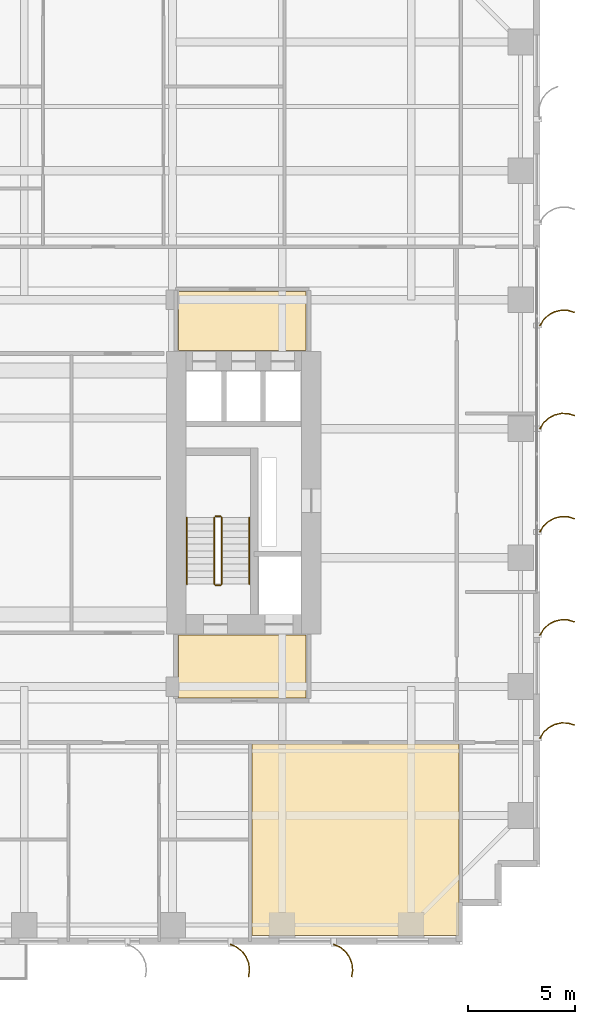
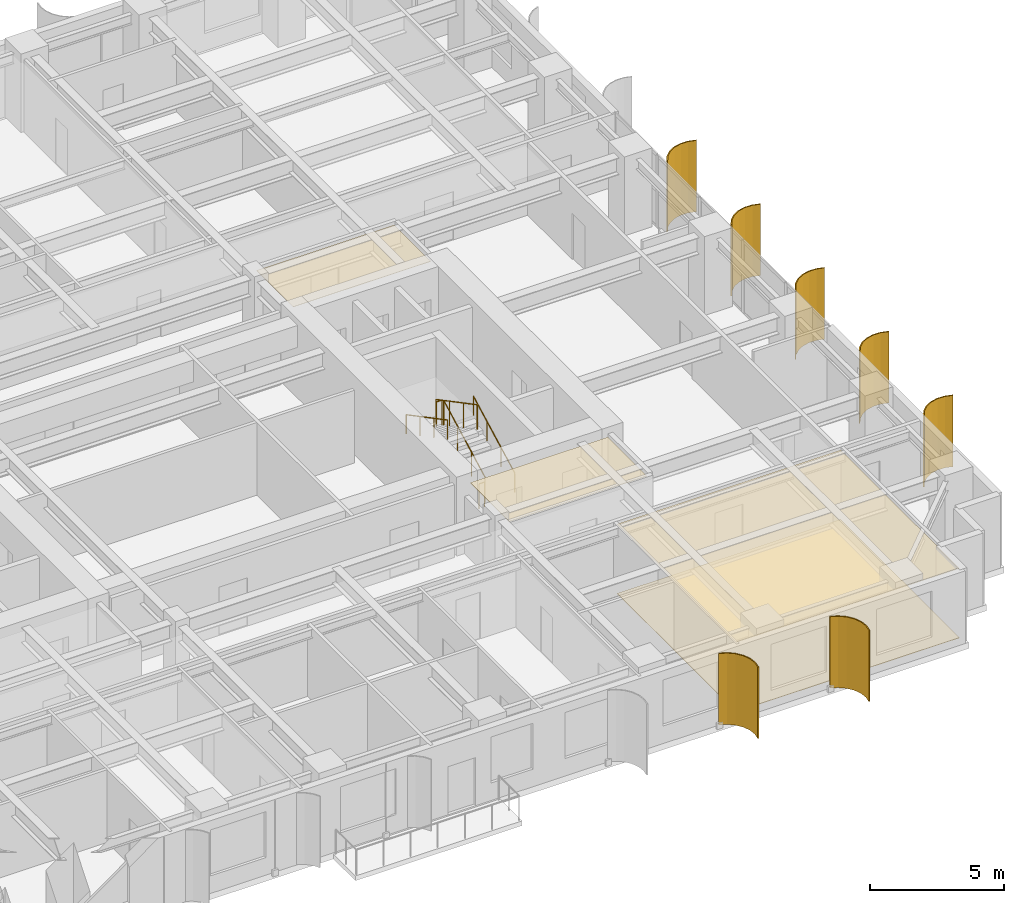
# One storey, part 17 of 18: 7 shading devices, 6 railings, 4 coverings.
"""IFC4 building model written with IfcOpenShell, lengths in metres."""

from ifc_helpers import new_model, si_unit, direction, frame, origin, origin_2d, place, context, subcontext, project, spatial, polyline, circle, outline, extrude, source, transform, mapped, material, layer, layer_set, type_object, element, save


model = new_model("IFC4")

# Units and contexts
model_context = context("Model", 3, precision=1e-05, world=origin(), true_north=direction((0.0, 1.0)))
body_context = subcontext(model_context, "Body", "Model", "MODEL_VIEW")
ifc_project = project(units=[si_unit("LENGTHUNIT", "METRE"), si_unit("AREAUNIT", "SQUARE_METRE"), si_unit("VOLUMEUNIT", "CUBIC_METRE"), si_unit("PLANEANGLEUNIT", "RADIAN"), si_unit("MASSUNIT", "GRAM", prefix="KILO")], contexts=[model_context])

# Site, building, storey
site_placement = place(None, origin())
site = spatial("IfcSite", under=ifc_project, at=site_placement, CompositionType="ELEMENT")
building_placement = place(site_placement, origin())
building = spatial("IfcBuilding", under=site, at=building_placement, Name="Khoralis Quay Care Tower", CompositionType="ELEMENT")
storey_placement = place(building_placement, frame((0.0, 0.0, 47.699951171875)))
storey = spatial("IfcBuildingStorey", under=building, at=storey_placement, Name="L12", CompositionType="ELEMENT", Elevation=47.699951171875)

# Coverings
ifc_material_1 = material(Name="Mineral-fibre acoustic ceiling tile")
ifc_layer_1 = layer(ifc_material_1, 0.01806640625)
ifc_layer_set_1 = layer_set([ifc_layer_1], Name="Mineral-fibre acoustic ceiling tile")
covering_type_1 = type_object("IfcCoveringType", Name="COV-CEIL-AC18", PredefinedType="CEILING", material=ifc_layer_set_1)
covering_1_placement = place(storey_placement, frame((0.0, 0.0, 3.172119140625)))
element("IfcCovering", 1, at=covering_1_placement, inside=storey, type_object=covering_type_1, Name="Suspended Acoustic Ceiling SP-L12-FFLOB-E", PredefinedType="CEILING", context=body_context, shape_type="SweptSolid", body=[
    extrude(outline(polyline([(31.179931640625, 11.47998046875), (37.1201171875, 11.47998046875), (37.1201171875, 14.39990234375), (31.179931640625, 14.39990234375), (31.179931640625, 11.47998046875)])), origin(), (0.0, 0.0, 1.0), 0.017822265625),
])
covering_2_placement = place(storey_placement, frame((0.0, 0.0, 3.172119140625)))
element("IfcCovering", 2, at=covering_2_placement, inside=storey, type_object=covering_type_1, Name="Suspended Acoustic Ceiling SP-L12-LLOB-E", PredefinedType="CEILING", context=body_context, shape_type="SweptSolid", body=[
    extrude(outline(polyline([(31.179931640625, 27.64990234375), (37.1201171875, 27.64990234375), (37.1201171875, 30.389892578125), (31.179931640625, 30.389892578125), (31.179931640625, 27.64990234375)])), origin(), (0.0, 0.0, 1.0), 0.017822265625),
])
covering_3_placement = place(storey_placement, frame((0.0, 0.0, 3.172119140625)))
element("IfcCovering", 3, at=covering_3_placement, inside=storey, type_object=covering_type_1, Name="Suspended Acoustic Ceiling SP-L12-SB-COM2", PredefinedType="CEILING", context=body_context, shape_type="SweptSolid", body=[
    extrude(outline(polyline([(34.590087890625, 0.419921875), (44.239990234375, 0.419921875), (44.239990234375, 9.320068359375), (34.590087890625, 9.320068359375), (34.590087890625, 0.419921875)])), origin(), (0.0, 0.0, 1.0), 0.017822265625),
])
ifc_material_2 = material(Name="Porcelain and non-slip vinyl flooring")
ifc_layer_2 = layer(ifc_material_2, 0.02001953125)
ifc_layer_set_2 = layer_set([ifc_layer_2], Name="Porcelain and non-slip vinyl flooring")
covering_type_2 = type_object("IfcCoveringType", Name="COV-FLOOR-20", PredefinedType="FLOORING", material=ifc_layer_set_2)
covering_4_placement = place(storey_placement, origin())
element("IfcCovering", 4, at=covering_4_placement, inside=storey, type_object=covering_type_2, Name="Resilient Healthcare Flooring SP-L12-SB-COM2", PredefinedType="FLOORING", context=body_context, shape_type="SweptSolid", body=[
    extrude(outline(polyline([(34.590087890625, 0.419921875), (44.239990234375, 0.419921875), (44.239990234375, 9.320068359375), (34.590087890625, 9.320068359375), (34.590087890625, 0.419921875)])), origin(), (0.0, 0.0, 1.0), 0.02001953125),
])

# Railings
ifc_material_3 = material(Name="Brushed stainless steel", Category="steel")
railing_type_1 = type_object("IfcRailingType", Name="RL-GUARD-1150", PredefinedType="GUARDRAIL", material=ifc_material_3)
railing_1_placement = place(storey_placement, frame((33.18994140625, 16.77001953125, 0.16357421875)))
element("IfcRailing", 5, at=railing_1_placement, inside=storey, type_object=railing_type_1, Name="L12 ST-T2 stair guard 1", PredefinedType="GUARDRAIL", context=body_context, shape_type="SweptSolid", body=[
    extrude(circle(Radius=0.02392578125, at=origin_2d()), frame((0.0, 0.0, 1.1259765625), z_axis=(0.0, 0.884348015382, 0.466828220752), x_axis=(-1.0, 0.0, 0.0)), (0.0, 0.0, 1.0), 3.505615234375),
    extrude(circle(Radius=0.02099609375, at=origin_2d()), origin(), (0.0, 0.0, 1.0), 1.101806640625),
    extrude(circle(Radius=0.02099609375, at=origin_2d()), frame((0.0, 1.033447265625, 0.54541015625)), (0.0, 0.0, 1.0), 1.101806640625),
    extrude(circle(Radius=0.02099609375, at=origin_2d()), frame((0.0, 2.066650390625, 1.091064453125)), (0.0, 0.0, 1.0), 1.101806640625),
    extrude(circle(Radius=0.02099609375, at=origin_2d()), frame((0.0, 3.10009765625, 1.636474609375)), (0.0, 0.0, 1.0), 1.101806640625),
])
railing_2_placement = place(storey_placement, frame((33.139892578125, 19.919921875, 1.800048828125)))
element("IfcRailing", 6, at=railing_2_placement, inside=storey, type_object=railing_type_1, Name="L12 ST-T2 stair guard 2", PredefinedType="GUARDRAIL", context=body_context, shape_type="SweptSolid", body=[
    extrude(circle(Radius=0.02392578125, at=origin_2d()), frame((0.0, 0.0, 1.1259765625), z_axis=(-1.0, 0.0, 0.0), x_axis=(0.0, -1.0, 0.0)), (0.0, 0.0, 1.0), 0.239990234375),
    extrude(circle(Radius=0.02099609375, at=origin_2d()), origin(), (0.0, 0.0, 1.0), 1.101806640625),
    extrude(circle(Radius=0.02099609375, at=origin_2d()), frame((-0.239990234375, 0.0, 0.0)), (0.0, 0.0, 1.0), 1.101806640625),
])
railing_3_placement = place(storey_placement, frame((32.85009765625, 19.8701171875, 1.963623046875)))
element("IfcRailing", 7, at=railing_3_placement, inside=storey, type_object=railing_type_1, Name="L12 ST-T2 stair guard 3", PredefinedType="GUARDRAIL", context=body_context, shape_type="SweptSolid", body=[
    extrude(circle(Radius=0.02392578125, at=origin_2d()), frame((0.0, 0.0, 1.1259765625), z_axis=(0.0, -0.884348015382, 0.466828220752), x_axis=(1.0, 0.0, 0.0)), (0.0, 0.0, 1.0), 3.505615234375),
    extrude(circle(Radius=0.02099609375, at=origin_2d()), origin(), (0.0, 0.0, 1.0), 1.101806640625),
    extrude(circle(Radius=0.02099609375, at=origin_2d()), frame((0.0, -1.033447265625, 0.54541015625)), (0.0, 0.0, 1.0), 1.101806640625),
    extrude(circle(Radius=0.02099609375, at=origin_2d()), frame((0.0, -2.066650390625, 1.091064453125)), (0.0, 0.0, 1.0), 1.101806640625),
    extrude(circle(Radius=0.02099609375, at=origin_2d()), frame((0.0, -3.10009765625, 1.636474609375)), (0.0, 0.0, 1.0), 1.101806640625),
])
railing_4_placement = place(storey_placement, frame((33.139892578125, 16.719970703125, 0.0)))
element("IfcRailing", 8, at=railing_4_placement, inside=storey, type_object=railing_type_1, Name="L12 ST-T2 stair guard 4", PredefinedType="GUARDRAIL", context=body_context, shape_type="SweptSolid", body=[
    extrude(circle(Radius=0.02392578125, at=origin_2d()), frame((0.0, 0.0, 1.1259765625), z_axis=(-1.0, 0.0, 0.0), x_axis=(0.0, -1.0, 0.0)), (0.0, 0.0, 1.0), 0.239990234375),
    extrude(circle(Radius=0.02099609375, at=origin_2d()), origin(), (0.0, 0.0, 1.0), 1.101806640625),
    extrude(circle(Radius=0.02099609375, at=origin_2d()), frame((-0.239990234375, 0.0, 0.0)), (0.0, 0.0, 1.0), 1.101806640625),
])
railing_type_2 = type_object("IfcRailingType", Name="RL-HAND-900", PredefinedType="HANDRAIL", material=ifc_material_3)
railing_5_placement = place(storey_placement, frame((34.469970703125, 16.77001953125, 0.16357421875)))
element("IfcRailing", 9, at=railing_5_placement, inside=storey, type_object=railing_type_2, Name="L12 ST-T2 stair handrail 1", PredefinedType="HANDRAIL", context=body_context, shape_type="SweptSolid", body=[
    extrude(circle(Radius=0.02392578125, at=origin_2d()), frame((0.0, 0.0, 0.8759765625), z_axis=(0.0, 0.884348015382, 0.466828220752), x_axis=(-1.0, 0.0, 0.0)), (0.0, 0.0, 1.0), 3.505615234375),
    extrude(circle(Radius=0.02099609375, at=origin_2d()), origin(), (0.0, 0.0, 1.0), 0.851806640625),
    extrude(circle(Radius=0.02099609375, at=origin_2d()), frame((0.0, 1.033447265625, 0.54541015625)), (0.0, 0.0, 1.0), 0.851806640625),
    extrude(circle(Radius=0.02099609375, at=origin_2d()), frame((0.0, 2.066650390625, 1.091064453125)), (0.0, 0.0, 1.0), 0.851806640625),
    extrude(circle(Radius=0.02099609375, at=origin_2d()), frame((0.0, 3.10009765625, 1.636474609375)), (0.0, 0.0, 1.0), 0.851806640625),
])
railing_6_placement = place(storey_placement, frame((31.570068359375, 19.8701171875, 1.963623046875)))
element("IfcRailing", 10, at=railing_6_placement, inside=storey, type_object=railing_type_2, Name="L12 ST-T2 stair handrail 2", PredefinedType="HANDRAIL", context=body_context, shape_type="SweptSolid", body=[
    extrude(circle(Radius=0.02392578125, at=origin_2d()), frame((0.0, 0.0, 0.8759765625), z_axis=(0.0, -0.884348015382, 0.466828220752), x_axis=(1.0, 0.0, 0.0)), (0.0, 0.0, 1.0), 3.505615234375),
    extrude(circle(Radius=0.02099609375, at=origin_2d()), origin(), (0.0, 0.0, 1.0), 0.851806640625),
    extrude(circle(Radius=0.02099609375, at=origin_2d()), frame((0.0, -1.033447265625, 0.54541015625)), (0.0, 0.0, 1.0), 0.851806640625),
    extrude(circle(Radius=0.02099609375, at=origin_2d()), frame((0.0, -2.066650390625, 1.091064453125)), (0.0, 0.0, 1.0), 0.851806640625),
    extrude(circle(Radius=0.02099609375, at=origin_2d()), frame((0.0, -3.10009765625, 1.636474609375)), (0.0, 0.0, 1.0), 0.851806640625),
])

# Shading devices
ifc_material_4 = material(Name="Brushed pale anodised aluminium", Category="aluminium")
ifc_layer_3 = layer(ifc_material_4, 0.044921875)
ifc_layer_set_3 = layer_set([ifc_layer_3], Name="Brushed pale anodised aluminium")
shading_device_type = type_object("IfcShadingDeviceType", Name="SHD-FIN-1250", PredefinedType="USERDEFINED", material=ifc_layer_set_3)
shared_shape_1 = source(origin(), body_context, "Body", "SweptSolid", [
    extrude(outline(polyline([(0.0, 0.0), (0.130126953125, 0.29931640625), (0.333251953125, 0.5546875), (0.595458984375, 0.748779296875), (0.899169921875, 0.868408203125), (1.223388671875, 0.9052734375), (1.546142578125, 0.85693359375), (1.53369140625, 0.813720703125), (1.22265625, 0.8603515625), (0.91015625, 0.82470703125), (0.617431640625, 0.70947265625), (0.364501953125, 0.522216796875), (0.168701171875, 0.276123046875), (0.043212890625, -0.012451171875), (0.0, 0.0)])), origin(), (0.0, 0.0, 1.0), 3.260009765625),
])
for number, where, z_axis, x_axis, name in (
    (11, (33.60009765625, 0.030029296875, 0.02001953125), (0.0, 0.0, 1.0), (0.0, -1.0, 0.0), "L12 Curved Solar Fin P1E0-06"),
    (12, (38.39990234375, 0.030029296875, 0.02001953125), (0.0, 0.0, 1.0), (0.0, -1.0, 0.0), "L12 Curved Solar Fin P1E0-07"),
):
    element("IfcShadingDevice", number, at=place(storey_placement, frame(where, z_axis=z_axis, x_axis=x_axis)), inside=storey, type_object=shading_device_type, Name=name, ObjectType="FIN", PredefinedType="USERDEFINED", context=body_context, shape_type="MappedRepresentation", body=[
        mapped(shared_shape_1, transform((0.0, 0.0, 0.0), scale=1.0)),
    ])
shared_shape_2 = source(origin(), body_context, "Body", "SweptSolid", [
    extrude(outline(polyline([(0.0, 0.0), (0.17041015625, 0.2783203125), (0.4072265625, 0.5029296875), (0.694091796875, 0.658447265625), (1.01123046875, 0.734619140625), (1.33740234375, 0.72607421875), (1.650390625, 0.633544921875), (1.632080078125, 0.59228515625), (1.330322265625, 0.681640625), (1.015869140625, 0.68994140625), (0.710205078125, 0.616455078125), (0.43359375, 0.466552734375), (0.20556640625, 0.25), (0.041015625, -0.018310546875), (0.0, 0.0)])), origin(), (0.0, 0.0, 1.0), 3.260009765625),
])
for number, where, z_axis, x_axis, name in (
    (13, (47.969970703125, 9.60009765625, 0.02001953125), (0.0, 0.0, 1.0), (1.0, 0.0, 0.0), "L12 Curved Solar Fin P1E5-01"),
    (14, (47.969970703125, 14.39990234375, 0.02001953125), (0.0, 0.0, 1.0), (1.0, 0.0, 0.0), "L12 Curved Solar Fin P1E5-02"),
    (15, (47.969970703125, 19.199951171875, 0.02001953125), (0.0, 0.0, 1.0), (1.0, 0.0, 0.0), "L12 Curved Solar Fin P1E5-03"),
    (16, (47.969970703125, 24.0, 0.02001953125), (0.0, 0.0, 1.0), (1.0, 0.0, 0.0), "L12 Curved Solar Fin P1E5-04"),
    (17, (47.969970703125, 28.800048828125, 0.02001953125), (0.0, 0.0, 1.0), (1.0, 0.0, 0.0), "L12 Curved Solar Fin P1E5-05"),
):
    element("IfcShadingDevice", number, at=place(storey_placement, frame(where, z_axis=z_axis, x_axis=x_axis)), inside=storey, type_object=shading_device_type, Name=name, ObjectType="FIN", PredefinedType="USERDEFINED", context=body_context, shape_type="MappedRepresentation", body=[
        mapped(shared_shape_2, transform((0.0, 0.0, 0.0), scale=1.0)),
    ])

save(model, "model.ifc")
